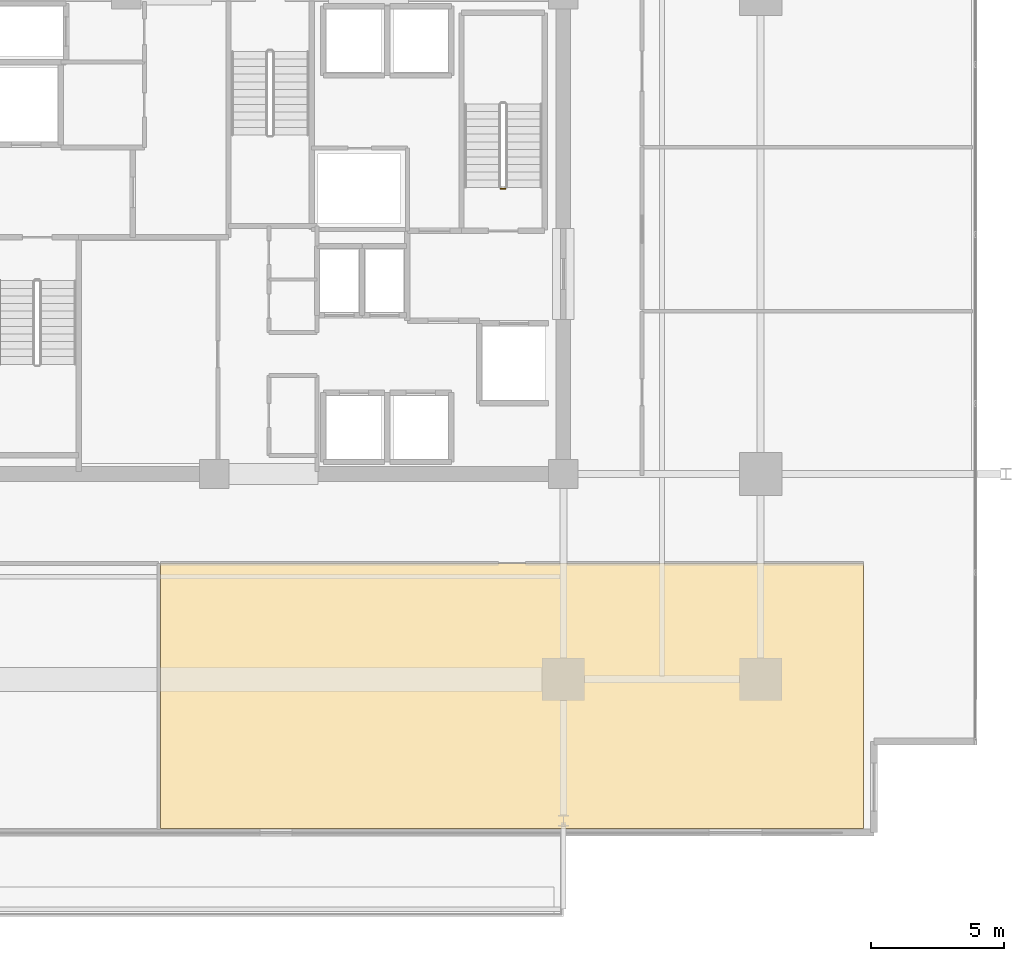
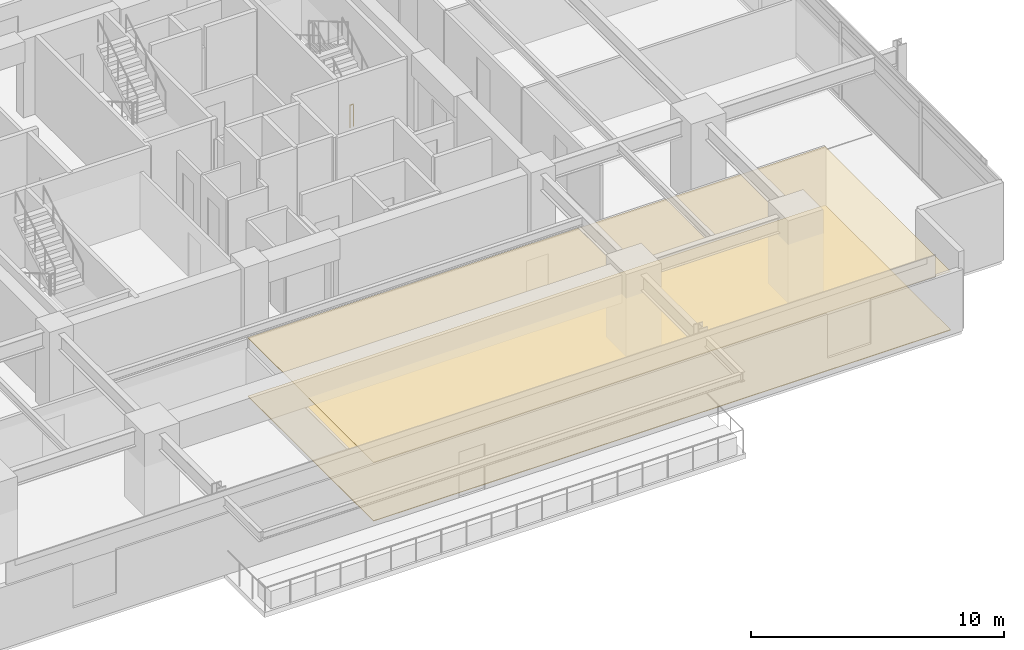
# One storey, part 20 of 23: 2 coverings, 1 railing.
"""IFC4 building model written with IfcOpenShell, lengths in metres."""

from ifc_helpers import new_model, si_unit, direction, frame, origin, origin_2d, place, context, subcontext, project, spatial, polyline, circle, outline, extrude, material, layer, layer_set, type_object, element, save


model = new_model("IFC4")

# Units and contexts
model_context = context("Model", 3, precision=1e-05, world=origin(), true_north=direction((0.0, 1.0)))
body_context = subcontext(model_context, "Body", "Model", "MODEL_VIEW")
ifc_project = project(units=[si_unit("LENGTHUNIT", "METRE"), si_unit("AREAUNIT", "SQUARE_METRE"), si_unit("VOLUMEUNIT", "CUBIC_METRE"), si_unit("PLANEANGLEUNIT", "RADIAN"), si_unit("MASSUNIT", "GRAM", prefix="KILO")], contexts=[model_context])

# Site, building, storey
site_placement = place(None, origin())
site = spatial("IfcSite", under=ifc_project, at=site_placement, CompositionType="ELEMENT")
building_placement = place(site_placement, origin())
building = spatial("IfcBuilding", under=site, at=building_placement, Name="Kovane Verandah Tower", CompositionType="ELEMENT")
storey_placement = place(building_placement, frame((0.0, 0.0, 140.39990234375)))
storey = spatial("IfcBuildingStorey", under=building, at=storey_placement, Name="L32", CompositionType="ELEMENT", Elevation=140.39990234375)

# Coverings
ifc_material_1 = material(Name="Perforated Acoustic Mineral-Fibre Ceiling Tile", Category="gypsum")
ifc_layer_1 = layer(ifc_material_1, 0.02490234375)
ifc_layer_set_1 = layer_set([ifc_layer_1], Name="Perforated Acoustic Mineral-Fibre Ceiling Tile")
covering_type_1 = type_object("IfcCoveringType", Name="CV-CEIL-25", PredefinedType="CEILING", material=ifc_layer_set_1)
covering_1_placement = place(storey_placement, frame((0.0, 0.0, 2.8251953125)))
element("IfcCovering", 1, at=covering_1_placement, inside=storey, type_object=covering_type_1, Name="L32 Collaboration Hub S2 Acoustic Ceiling", PredefinedType="CEILING", context=body_context, shape_type="SweptSolid", body=[
    extrude(outline(polyline([(35.891845703125, 5.209228515625), (62.256103515625, 5.209228515625), (62.256103515625, 15.14990234375), (35.891845703125, 15.14990234375), (35.891845703125, 5.209228515625)])), origin(), (0.0, 0.0, 1.0), 0.02490234375),
])
ifc_material_2 = material(Name="Polished Terrazzo and Raised-Access Carpet Tile Finish", Category="concrete")
ifc_layer_2 = layer(ifc_material_2, 0.030029296875)
ifc_layer_set_2 = layer_set([ifc_layer_2], Name="Polished Terrazzo and Raised-Access Carpet Tile Finish")
covering_type_2 = type_object("IfcCoveringType", Name="CV-FLOR-30", PredefinedType="FLOORING", material=ifc_layer_set_2)
covering_2_placement = place(storey_placement, origin())
element("IfcCovering", 2, at=covering_2_placement, inside=storey, type_object=covering_type_2, Name="L32 Collaboration Hub S2 Floor Finish", PredefinedType="FLOORING", context=body_context, shape_type="SweptSolid", body=[
    extrude(outline(polyline([(35.891845703125, 5.209228515625), (62.256103515625, 5.209228515625), (62.256103515625, 15.14990234375), (35.891845703125, 15.14990234375), (35.891845703125, 5.209228515625)])), origin(), (0.0, 0.0, 1.0), 0.030029296875),
])

# Railing
ifc_material_3 = material(Name="Painted Steel Stairwell Guardrail", Category="steel")
railing_type = type_object("IfcRailingType", Name="RL-STGUARD-1120", PredefinedType="GUARDRAIL", material=ifc_material_3)
railing_placement = place(storey_placement, frame((48.820068359375, 29.199951171875, 0.0)))
element("IfcRailing", 3, at=railing_placement, inside=storey, type_object=railing_type, Name="L32 ST-02 stair guard 4", PredefinedType="GUARDRAIL", context=body_context, shape_type="SweptSolid", body=[
    extrude(circle(Radius=0.02392578125, at=origin_2d()), frame((0.0, 0.0, 1.076171875), z_axis=(-1.0, 0.0, 0.0), x_axis=(0.0, -1.0, 0.0)), (0.0, 0.0, 1.0), 0.16015625),
    extrude(circle(Radius=0.02099609375, at=origin_2d()), origin(), (0.0, 0.0, 1.0), 1.052001953125),
    extrude(circle(Radius=0.02099609375, at=origin_2d()), frame((-0.16015625, 0.0, 0.0)), (0.0, 0.0, 1.0), 1.052001953125),
])

save(model, "model.ifc")
